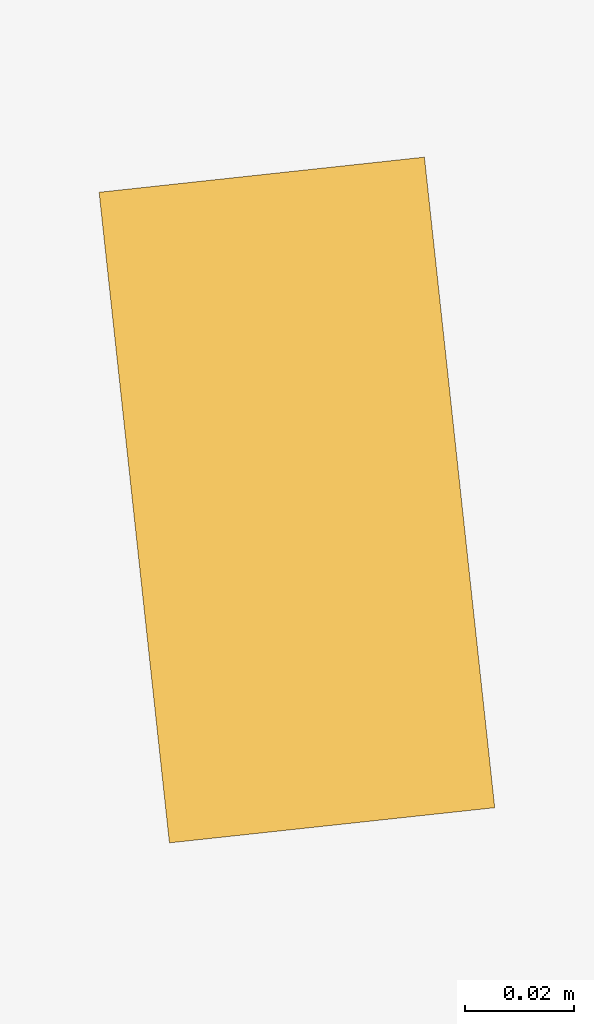
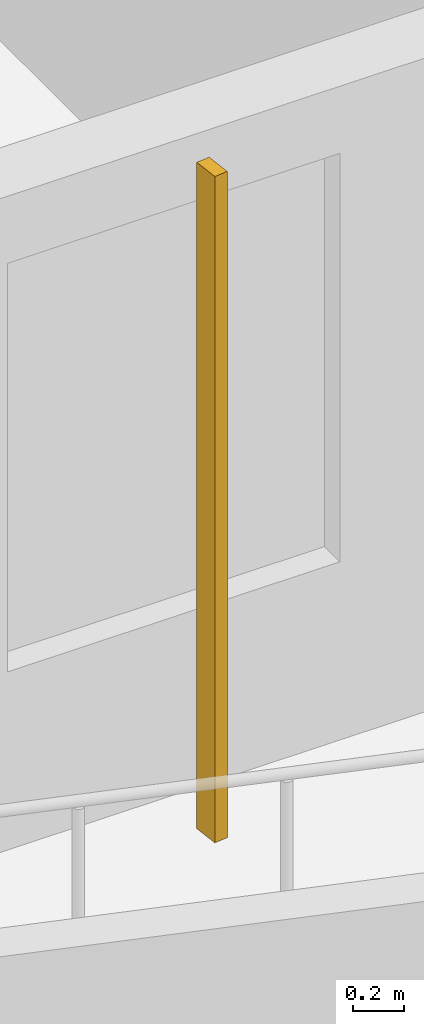
# One storey, part 15 of 22: 1 shading device.
"""IFC4 building model written with IfcOpenShell, lengths in metres."""

from ifc_helpers import new_model, si_unit, direction, frame, origin, origin_2d, place, context, subcontext, project, spatial, rectangle, extrude, source, transform, mapped, material, material_profile, profile_set, type_object, element, save


model = new_model("IFC4")

# Units and contexts
model_context = context("Model", 3, precision=1e-05, world=origin(), true_north=direction((0.0, 1.0)))
body_context = subcontext(model_context, "Body", "Model", "MODEL_VIEW")
ifc_project = project(units=[si_unit("LENGTHUNIT", "METRE"), si_unit("AREAUNIT", "SQUARE_METRE"), si_unit("VOLUMEUNIT", "CUBIC_METRE"), si_unit("PLANEANGLEUNIT", "RADIAN"), si_unit("MASSUNIT", "GRAM", prefix="KILO")], contexts=[model_context])

# Site, building, storey
site_placement = place(None, origin())
site = spatial("IfcSite", under=ifc_project, at=site_placement, CompositionType="ELEMENT")
building_placement = place(site_placement, origin())
building = spatial("IfcBuilding", under=site, at=building_placement, Name="Kilnfold Tower and Market Hall", CompositionType="ELEMENT")
storey_placement = place(building_placement, frame((0.0, 0.0, 213.5)))
storey = spatial("IfcBuildingStorey", under=building, at=storey_placement, Name="L52", CompositionType="ELEMENT", Elevation=213.5)

# Shading device
ifc_material = material(Name="Terracotta", Category="masonry")
ifc_material_profile = material_profile(ifc_material, rectangle(XDim=0.06005859375, YDim=0.1201171875, at=origin_2d()), Name="BAG 60x120")
ifc_profile_set = profile_set([ifc_material_profile], Name="Terracotta")
shading_device_type = type_object("IfcShadingDeviceType", Name="BAGUETTE", PredefinedType="USERDEFINED", material=ifc_profile_set)
shared_shape = source(origin(), body_context, "Body", "SweptSolid", [
    extrude(rectangle(XDim=0.06005859375, YDim=0.1201171875, at=origin_2d()), origin(), (0.0, 0.0, 1.0), 3.179931640625),
])
shading_device_placement = place(storey_placement, frame((10.5, -26.550048828125, 0.0), z_axis=(0.0, 0.0, 1.0), x_axis=(0.994209814385, 0.107456246821, 0.0)))
element("IfcShadingDevice", 1, at=shading_device_placement, inside=storey, type_object=shading_device_type, Name="Terracotta baguette L52 S", ObjectType="BAGUETTE", PredefinedType="USERDEFINED", context=body_context, shape_type="MappedRepresentation", body=[
    mapped(shared_shape, transform((0.0, 0.0, 0.0))),
])

save(model, "model.ifc")
